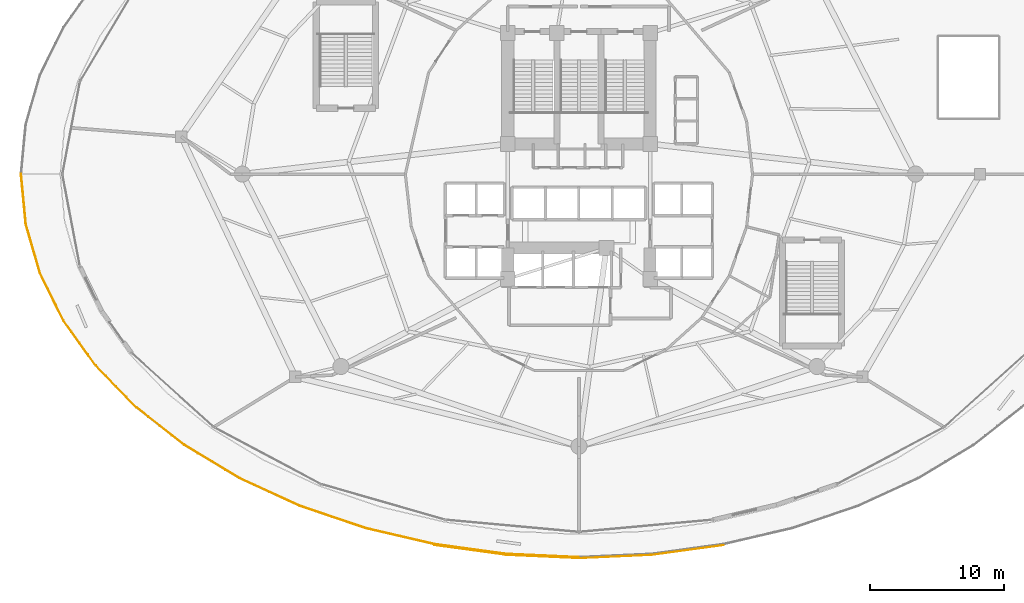
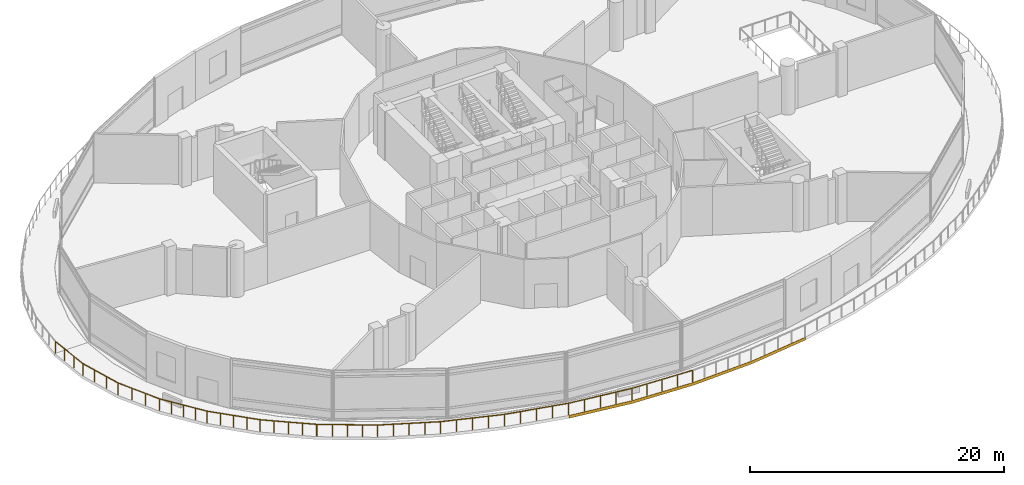
# One storey, part 31 of 37: 2 railings, 1 covering.
"""IFC4 building model written with IfcOpenShell, lengths in metres."""

from ifc_helpers import new_model, si_unit, direction, frame, origin, place, context, subcontext, project, spatial, polyline, outline, extrude, material, layer, layer_set, type_object, element, save


model = new_model("IFC4")

# Units and contexts
model_context = context("Model", 3, precision=1e-05, world=origin(), true_north=direction((0.0, 1.0)))
body_context = subcontext(model_context, "Body", "Model", "MODEL_VIEW")
ifc_project = project(units=[si_unit("LENGTHUNIT", "METRE"), si_unit("AREAUNIT", "SQUARE_METRE"), si_unit("VOLUMEUNIT", "CUBIC_METRE"), si_unit("PLANEANGLEUNIT", "RADIAN"), si_unit("MASSUNIT", "GRAM", prefix="KILO")], contexts=[model_context])

# Site, building, storey
site_placement = place(None, origin())
site = spatial("IfcSite", under=ifc_project, at=site_placement, CompositionType="ELEMENT")
building_placement = place(site_placement, origin())
building = spatial("IfcBuilding", under=site, at=building_placement, Name="Nuhasar Tower", CompositionType="ELEMENT")
storey_placement = place(building_placement, frame((0.0, 0.0, 6.0)))
storey = spatial("IfcBuildingStorey", under=building, at=storey_placement, Name="L01", CompositionType="ELEMENT", Elevation=6.0)

# Covering
ifc_material_1 = material(Name="Aluminium 6063-T6", Category="aluminium")
ifc_layer = layer(ifc_material_1, 0.014892578125)
ifc_layer_set = layer_set([ifc_layer], Name="Aluminium 6063-T6")
covering_type = type_object("IfcCoveringType", Name="COV-CLD-BRZ15", PredefinedType="CLADDING", material=ifc_layer_set)
covering_placement = place(storey_placement, frame((0.0, 0.0, -0.280029296875)))
element("IfcCovering", 1, at=covering_placement, inside=storey, type_object=covering_type, Name="L01 Bustan Terrace Bronze Fascia Cladding South", PredefinedType="CLADDING", context=body_context, shape_type="SweptSolid", body=[
    extrude(outline(polyline([(28.23291015625, -0.824951171875), (33.570068359375, -1.554931640625), (39.0, -1.800048828125), (44.429931640625, -1.554931640625), (49.76708984375, -0.824951171875), (49.762939453125, -0.81103515625), (44.427978515625, -1.5400390625), (39.0, -1.784912109375), (33.572021484375, -1.5400390625), (28.237060546875, -0.81103515625), (28.23291015625, -0.824951171875)])), origin(), (0.0, 0.0, 1.0), 0.280029296875),
])

# Railings
ifc_material_2 = material(Name="Steel S355", Category="steel")
railing_type = type_object("IfcRailingType", Name="RLG-TERR-1150", PredefinedType="BALUSTRADE", material=ifc_material_2)
railing_1_placement = place(storey_placement, frame((-2.52001953125, 26.800048828125, 0.0)))
element("IfcRailing", 2, at=railing_1_placement, inside=storey, type_object=railing_type, Name="L01 Bustan Terrace Perimeter Balustrade 05", PredefinedType="BALUSTRADE", context=body_context, shape_type="SweptSolid", body=[
    extrude(outline(polyline([(0.024169921875, 0.0), (0.01708984375, 0.01708984375), (0.0, 0.024169921875), (-0.01708984375, 0.01708984375), (-0.024169921875, 0.0), (-0.01708984375, -0.01708984375), (0.0, -0.024169921875), (0.01708984375, -0.01708984375), (0.024169921875, 0.0)])), frame((0.0, 0.0, 1.1259765625), z_axis=(0.094913829866, -0.995485492059, 0.0), x_axis=(0.995485492059, 0.094913829866, 0.0)), (0.0, 0.0, 1.0), 3.739990234375),
    extrude(outline(polyline([(0.024169921875, 0.0), (0.01708984375, 0.01708984375), (0.0, 0.024169921875), (-0.01708984375, 0.01708984375), (-0.024169921875, 0.0), (-0.01708984375, -0.01708984375), (0.0, -0.024169921875), (0.01708984375, -0.01708984375), (0.024169921875, 0.0)])), frame((0.35498046875, -3.72314453125, 1.1259765625), z_axis=(0.278274374936, -0.960501625326, 0.0), x_axis=(0.960501625326, 0.278274374936, 0.0)), (0.0, 0.0, 1.0), 3.809326171875),
    extrude(outline(polyline([(0.024169921875, 0.0), (0.01708984375, 0.01708984375), (0.0, 0.024169921875), (-0.01708984375, 0.01708984375), (-0.024169921875, 0.0), (-0.01708984375, -0.01708984375), (0.0, -0.024169921875), (0.01708984375, -0.01708984375), (0.024169921875, 0.0)])), frame((1.4150390625, -7.382080078125, 1.1259765625), z_axis=(0.443168958326, -0.896438104041, 0.0), x_axis=(0.896438104041, 0.443168958326, 0.0)), (0.0, 0.0, 1.0), 3.93994140625),
    extrude(outline(polyline([(0.024169921875, 0.0), (0.01708984375, 0.01708984375), (0.0, 0.024169921875), (-0.01708984375, 0.01708984375), (-0.024169921875, 0.0), (-0.01708984375, -0.01708984375), (0.0, -0.024169921875), (0.01708984375, -0.01708984375), (0.024169921875, 0.0)])), frame((3.1611328125, -10.9140625, 1.1259765625), z_axis=(0.583148612261, -0.812365494108, 0.0), x_axis=(0.812365494108, 0.583148612261, 0.0)), (0.0, 0.0, 1.0), 4.11865234375),
    extrude(outline(polyline([(0.024169921875, 0.0), (0.01708984375, 0.01708984375), (0.0, 0.024169921875), (-0.01708984375, 0.01708984375), (-0.024169921875, 0.0), (-0.01708984375, -0.01708984375), (0.0, -0.024169921875), (0.01708984375, -0.01708984375), (0.024169921875, 0.0)])), frame((5.56298828125, -14.260009765625, 1.1259765625), z_axis=(0.697221787031, -0.716855480337, 0.0), x_axis=(0.716855480337, 0.697221787031, 0.0)), (0.0, 0.0, 1.0), 4.327392578125),
    extrude(outline(polyline([(0.024169921875, 0.0), (0.01708984375, 0.01708984375), (0.0, 0.024169921875), (-0.01708984375, 0.01708984375), (-0.024169921875, 0.0), (-0.01708984375, -0.01708984375), (0.0, -0.024169921875), (0.01708984375, -0.01708984375), (0.024169921875, 0.0)])), frame((8.580078125, -17.362060546875, 1.1259765625), z_axis=(0.787318727444, -0.616546203797, 0.0), x_axis=(0.616546203797, 0.787318727444, 0.0)), (0.0, 0.0, 1.0), 4.509033203125),
    extrude(outline(polyline([(0.02099609375, 0.0), (0.014892578125, 0.014892578125), (0.0, 0.02099609375), (-0.014892578125, 0.014892578125), (-0.02099609375, 0.0), (-0.014892578125, -0.014892578125), (0.0, -0.02099609375), (0.014892578125, -0.014892578125), (0.02099609375, 0.0)])), origin(), (0.0, 0.0, 1.0), 1.101806640625),
    extrude(outline(polyline([(0.02099609375, 0.0), (0.014892578125, 0.014892578125), (0.0, 0.02099609375), (-0.014892578125, 0.014892578125), (-0.02099609375, 0.0), (-0.014892578125, -0.014892578125), (0.0, -0.02099609375), (0.014892578125, -0.014892578125), (0.02099609375, 0.0)])), frame((0.118408203125, -1.240966796875, 0.0)), (0.0, 0.0, 1.0), 1.101806640625),
    extrude(outline(polyline([(0.02099609375, 0.0), (0.014892578125, 0.014892578125), (0.0, 0.02099609375), (-0.014892578125, 0.014892578125), (-0.02099609375, 0.0), (-0.014892578125, -0.014892578125), (0.0, -0.02099609375), (0.014892578125, -0.014892578125), (0.02099609375, 0.0)])), frame((0.236572265625, -2.482177734375, 0.0)), (0.0, 0.0, 1.0), 1.101806640625),
    extrude(outline(polyline([(0.02099609375, 0.0), (0.014892578125, 0.014892578125), (0.0, 0.02099609375), (-0.014892578125, 0.014892578125), (-0.02099609375, 0.0), (-0.014892578125, -0.014892578125), (0.0, -0.02099609375), (0.014892578125, -0.014892578125), (0.02099609375, 0.0)])), frame((0.35498046875, -3.72314453125, 0.0)), (0.0, 0.0, 1.0), 1.101806640625),
    extrude(outline(polyline([(0.02099609375, 0.0), (0.014892578125, 0.014892578125), (0.0, 0.02099609375), (-0.014892578125, 0.014892578125), (-0.02099609375, 0.0), (-0.014892578125, -0.014892578125), (0.0, -0.02099609375), (0.014892578125, -0.014892578125), (0.02099609375, 0.0)])), frame((0.708251953125, -4.94287109375, 0.0)), (0.0, 0.0, 1.0), 1.101806640625),
    extrude(outline(polyline([(0.02099609375, 0.0), (0.014892578125, 0.014892578125), (0.0, 0.02099609375), (-0.014892578125, 0.014892578125), (-0.02099609375, 0.0), (-0.014892578125, -0.014892578125), (0.0, -0.02099609375), (0.014892578125, -0.014892578125), (0.02099609375, 0.0)])), frame((1.061767578125, -6.162353515625, 0.0)), (0.0, 0.0, 1.0), 1.101806640625),
    extrude(outline(polyline([(0.02099609375, 0.0), (0.014892578125, 0.014892578125), (0.0, 0.02099609375), (-0.014892578125, 0.014892578125), (-0.02099609375, 0.0), (-0.014892578125, -0.014892578125), (0.0, -0.02099609375), (0.014892578125, -0.014892578125), (0.02099609375, 0.0)])), frame((1.4150390625, -7.382080078125, 0.0)), (0.0, 0.0, 1.0), 1.101806640625),
    extrude(outline(polyline([(0.02099609375, 0.0), (0.014892578125, 0.014892578125), (0.0, 0.02099609375), (-0.014892578125, 0.014892578125), (-0.02099609375, 0.0), (-0.014892578125, -0.014892578125), (0.0, -0.02099609375), (0.014892578125, -0.014892578125), (0.02099609375, 0.0)])), frame((1.9970703125, -8.559326171875, 0.0)), (0.0, 0.0, 1.0), 1.101806640625),
    extrude(outline(polyline([(0.02099609375, 0.0), (0.014892578125, 0.014892578125), (0.0, 0.02099609375), (-0.014892578125, 0.014892578125), (-0.02099609375, 0.0), (-0.014892578125, -0.014892578125), (0.0, -0.02099609375), (0.014892578125, -0.014892578125), (0.02099609375, 0.0)])), frame((2.5791015625, -9.73681640625, 0.0)), (0.0, 0.0, 1.0), 1.101806640625),
    extrude(outline(polyline([(0.02099609375, 0.0), (0.014892578125, 0.014892578125), (0.0, 0.02099609375), (-0.014892578125, 0.014892578125), (-0.02099609375, 0.0), (-0.014892578125, -0.014892578125), (0.0, -0.02099609375), (0.014892578125, -0.014892578125), (0.02099609375, 0.0)])), frame((3.1611328125, -10.9140625, 0.0)), (0.0, 0.0, 1.0), 1.101806640625),
    extrude(outline(polyline([(0.02099609375, 0.0), (0.014892578125, 0.014892578125), (0.0, 0.02099609375), (-0.014892578125, 0.014892578125), (-0.02099609375, 0.0), (-0.014892578125, -0.014892578125), (0.0, -0.02099609375), (0.014892578125, -0.014892578125), (0.02099609375, 0.0)])), frame((3.76171875, -11.75048828125, 0.0)), (0.0, 0.0, 1.0), 1.101806640625),
    extrude(outline(polyline([(0.02099609375, 0.0), (0.014892578125, 0.014892578125), (0.0, 0.02099609375), (-0.014892578125, 0.014892578125), (-0.02099609375, 0.0), (-0.014892578125, -0.014892578125), (0.0, -0.02099609375), (0.014892578125, -0.014892578125), (0.02099609375, 0.0)])), frame((4.362060546875, -12.5869140625, 0.0)), (0.0, 0.0, 1.0), 1.101806640625),
    extrude(outline(polyline([(0.02099609375, 0.0), (0.014892578125, 0.014892578125), (0.0, 0.02099609375), (-0.014892578125, 0.014892578125), (-0.02099609375, 0.0), (-0.014892578125, -0.014892578125), (0.0, -0.02099609375), (0.014892578125, -0.014892578125), (0.02099609375, 0.0)])), frame((4.96240234375, -13.423583984375, 0.0)), (0.0, 0.0, 1.0), 1.101806640625),
    extrude(outline(polyline([(0.02099609375, 0.0), (0.014892578125, 0.014892578125), (0.0, 0.02099609375), (-0.014892578125, 0.014892578125), (-0.02099609375, 0.0), (-0.014892578125, -0.014892578125), (0.0, -0.02099609375), (0.014892578125, -0.014892578125), (0.02099609375, 0.0)])), frame((5.56298828125, -14.260009765625, 0.0)), (0.0, 0.0, 1.0), 1.101806640625),
    extrude(outline(polyline([(0.02099609375, 0.0), (0.014892578125, 0.014892578125), (0.0, 0.02099609375), (-0.014892578125, 0.014892578125), (-0.02099609375, 0.0), (-0.014892578125, -0.014892578125), (0.0, -0.02099609375), (0.014892578125, -0.014892578125), (0.02099609375, 0.0)])), frame((6.3173828125, -15.03564453125, 0.0)), (0.0, 0.0, 1.0), 1.101806640625),
    extrude(outline(polyline([(0.02099609375, 0.0), (0.014892578125, 0.014892578125), (0.0, 0.02099609375), (-0.014892578125, 0.014892578125), (-0.02099609375, 0.0), (-0.014892578125, -0.014892578125), (0.0, -0.02099609375), (0.014892578125, -0.014892578125), (0.02099609375, 0.0)])), frame((7.071533203125, -15.81103515625, 0.0)), (0.0, 0.0, 1.0), 1.101806640625),
    extrude(outline(polyline([(0.02099609375, 0.0), (0.014892578125, 0.014892578125), (0.0, 0.02099609375), (-0.014892578125, 0.014892578125), (-0.02099609375, 0.0), (-0.014892578125, -0.014892578125), (0.0, -0.02099609375), (0.014892578125, -0.014892578125), (0.02099609375, 0.0)])), frame((7.82568359375, -16.58642578125, 0.0)), (0.0, 0.0, 1.0), 1.101806640625),
    extrude(outline(polyline([(0.02099609375, 0.0), (0.014892578125, 0.014892578125), (0.0, 0.02099609375), (-0.014892578125, 0.014892578125), (-0.02099609375, 0.0), (-0.014892578125, -0.014892578125), (0.0, -0.02099609375), (0.014892578125, -0.014892578125), (0.02099609375, 0.0)])), frame((8.580078125, -17.362060546875, 0.0)), (0.0, 0.0, 1.0), 1.101806640625),
    extrude(outline(polyline([(0.02099609375, 0.0), (0.014892578125, 0.014892578125), (0.0, 0.02099609375), (-0.014892578125, 0.014892578125), (-0.02099609375, 0.0), (-0.014892578125, -0.014892578125), (0.0, -0.02099609375), (0.014892578125, -0.014892578125), (0.02099609375, 0.0)])), frame((9.467529296875, -18.05712890625, 0.0)), (0.0, 0.0, 1.0), 1.101806640625),
    extrude(outline(polyline([(0.02099609375, 0.0), (0.014892578125, 0.014892578125), (0.0, 0.02099609375), (-0.014892578125, 0.014892578125), (-0.02099609375, 0.0), (-0.014892578125, -0.014892578125), (0.0, -0.02099609375), (0.014892578125, -0.014892578125), (0.02099609375, 0.0)])), frame((10.35498046875, -18.751953125, 0.0)), (0.0, 0.0, 1.0), 1.101806640625),
    extrude(outline(polyline([(0.02099609375, 0.0), (0.014892578125, 0.014892578125), (0.0, 0.02099609375), (-0.014892578125, 0.014892578125), (-0.02099609375, 0.0), (-0.014892578125, -0.014892578125), (0.0, -0.02099609375), (0.014892578125, -0.014892578125), (0.02099609375, 0.0)])), frame((11.24267578125, -19.447021484375, 0.0)), (0.0, 0.0, 1.0), 1.101806640625),
    extrude(outline(polyline([(0.02099609375, 0.0), (0.014892578125, 0.014892578125), (0.0, 0.02099609375), (-0.014892578125, 0.014892578125), (-0.02099609375, 0.0), (-0.014892578125, -0.014892578125), (0.0, -0.02099609375), (0.014892578125, -0.014892578125), (0.02099609375, 0.0)])), frame((12.130126953125, -20.14208984375, 0.0)), (0.0, 0.0, 1.0), 1.101806640625),
])
railing_2_placement = place(storey_placement, frame((9.64111328125, 6.633056640625, 0.0)))
element("IfcRailing", 3, at=railing_2_placement, inside=storey, type_object=railing_type, Name="L01 Bustan Terrace Perimeter Balustrade 06", PredefinedType="BALUSTRADE", context=body_context, shape_type="SweptSolid", body=[
    extrude(outline(polyline([(0.024169921875, 0.0), (0.01708984375, 0.01708984375), (0.0, 0.024169921875), (-0.01708984375, 0.01708984375), (-0.024169921875, 0.0), (-0.01708984375, -0.01708984375), (0.0, -0.024169921875), (0.01708984375, -0.01708984375), (0.024169921875, 0.0)])), frame((0.0, 0.0, 1.1259765625), z_axis=(0.856642068446, -0.515911200274, 0.0), x_axis=(0.515911200274, 0.856642068446, 0.0)), (0.0, 0.0, 1.0), 4.766357421875),
    extrude(outline(polyline([(0.024169921875, 0.0), (0.01708984375, 0.01708984375), (0.0, 0.024169921875), (-0.01708984375, 0.01708984375), (-0.024169921875, 0.0), (-0.01708984375, -0.01708984375), (0.0, -0.024169921875), (0.01708984375, -0.01708984375), (0.024169921875, 0.0)])), frame((4.0830078125, -2.458984375, 1.1259765625), z_axis=(0.908818857155, -0.417190945348, 0.0), x_axis=(0.417190945348, 0.908818857155, 0.0)), (0.0, 0.0, 1.0), 4.968994140625),
    extrude(outline(polyline([(0.024169921875, 0.0), (0.01708984375, 0.01708984375), (0.0, 0.024169921875), (-0.01708984375, 0.01708984375), (-0.024169921875, 0.0), (-0.01708984375, -0.01708984375), (0.0, -0.024169921875), (0.01708984375, -0.01708984375), (0.024169921875, 0.0)])), frame((8.598876953125, -4.531982421875, 1.1259765625), z_axis=(0.94712922006, -0.320852365597, 0.0), x_axis=(0.320852365597, 0.94712922006, 0.0)), (0.0, 0.0, 1.0), 5.14306640625),
    extrude(outline(polyline([(0.024169921875, 0.0), (0.01708984375, 0.01708984375), (0.0, 0.024169921875), (-0.01708984375, 0.01708984375), (-0.024169921875, 0.0), (-0.01708984375, -0.01708984375), (0.0, -0.024169921875), (0.01708984375, -0.01708984375), (0.024169921875, 0.0)])), frame((13.469970703125, -6.18212890625, 1.1259765625), z_axis=(0.973883819877, -0.227046923305, 0.0), x_axis=(0.227046923305, 0.973883819877, 0.0)), (0.0, 0.0, 1.0), 5.28076171875),
    extrude(outline(polyline([(0.024169921875, 0.0), (0.01708984375, 0.01708984375), (0.0, 0.024169921875), (-0.01708984375, 0.01708984375), (-0.024169921875, 0.0), (-0.01708984375, -0.01708984375), (0.0, -0.024169921875), (0.01708984375, -0.01708984375), (0.024169921875, 0.0)])), frame((18.61279296875, -7.381103515625, 1.1259765625), z_axis=(0.990790336006, -0.135404985425, 0.0), x_axis=(0.135404985425, 0.990790336006, 0.0)), (0.0, 0.0, 1.0), 5.376708984375),
    extrude(outline(polyline([(0.024169921875, 0.0), (0.01708984375, 0.01708984375), (0.0, 0.024169921875), (-0.01708984375, 0.01708984375), (-0.024169921875, 0.0), (-0.01708984375, -0.01708984375), (0.0, -0.024169921875), (0.01708984375, -0.01708984375), (0.024169921875, 0.0)])), frame((23.93994140625, -8.109130859375, 1.1259765625), z_axis=(0.998989930916, -0.044934596112, 0.0), x_axis=(0.044934596112, 0.998989930916, 0.0)), (0.0, 0.0, 1.0), 5.38427734375),
    extrude(outline(polyline([(0.02099609375, 0.0), (0.014892578125, 0.014892578125), (0.0, 0.02099609375), (-0.014892578125, 0.014892578125), (-0.02099609375, 0.0), (-0.014892578125, -0.014892578125), (0.0, -0.02099609375), (0.014892578125, -0.014892578125), (0.02099609375, 0.0)])), origin(), (0.0, 0.0, 1.0), 1.101806640625),
    extrude(outline(polyline([(0.02099609375, 0.0), (0.014892578125, 0.014892578125), (0.0, 0.02099609375), (-0.014892578125, 0.014892578125), (-0.02099609375, 0.0), (-0.014892578125, -0.014892578125), (0.0, -0.02099609375), (0.014892578125, -0.014892578125), (0.02099609375, 0.0)])), frame((1.020751953125, -0.61474609375, 0.0)), (0.0, 0.0, 1.0), 1.101806640625),
    extrude(outline(polyline([(0.02099609375, 0.0), (0.014892578125, 0.014892578125), (0.0, 0.02099609375), (-0.014892578125, 0.014892578125), (-0.02099609375, 0.0), (-0.014892578125, -0.014892578125), (0.0, -0.02099609375), (0.014892578125, -0.014892578125), (0.02099609375, 0.0)])), frame((2.04150390625, -1.2294921875, 0.0)), (0.0, 0.0, 1.0), 1.101806640625),
    extrude(outline(polyline([(0.02099609375, 0.0), (0.014892578125, 0.014892578125), (0.0, 0.02099609375), (-0.014892578125, 0.014892578125), (-0.02099609375, 0.0), (-0.014892578125, -0.014892578125), (0.0, -0.02099609375), (0.014892578125, -0.014892578125), (0.02099609375, 0.0)])), frame((3.062255859375, -1.84423828125, 0.0)), (0.0, 0.0, 1.0), 1.101806640625),
    extrude(outline(polyline([(0.02099609375, 0.0), (0.014892578125, 0.014892578125), (0.0, 0.02099609375), (-0.014892578125, 0.014892578125), (-0.02099609375, 0.0), (-0.014892578125, -0.014892578125), (0.0, -0.02099609375), (0.014892578125, -0.014892578125), (0.02099609375, 0.0)])), frame((4.0830078125, -2.458984375, 0.0)), (0.0, 0.0, 1.0), 1.101806640625),
    extrude(outline(polyline([(0.02099609375, 0.0), (0.014892578125, 0.014892578125), (0.0, 0.02099609375), (-0.014892578125, 0.014892578125), (-0.02099609375, 0.0), (-0.014892578125, -0.014892578125), (0.0, -0.02099609375), (0.014892578125, -0.014892578125), (0.02099609375, 0.0)])), frame((5.2119140625, -2.977294921875, 0.0)), (0.0, 0.0, 1.0), 1.101806640625),
    extrude(outline(polyline([(0.02099609375, 0.0), (0.014892578125, 0.014892578125), (0.0, 0.02099609375), (-0.014892578125, 0.014892578125), (-0.02099609375, 0.0), (-0.014892578125, -0.014892578125), (0.0, -0.02099609375), (0.014892578125, -0.014892578125), (0.02099609375, 0.0)])), frame((6.3408203125, -3.49560546875, 0.0)), (0.0, 0.0, 1.0), 1.101806640625),
    extrude(outline(polyline([(0.02099609375, 0.0), (0.014892578125, 0.014892578125), (0.0, 0.02099609375), (-0.014892578125, 0.014892578125), (-0.02099609375, 0.0), (-0.014892578125, -0.014892578125), (0.0, -0.02099609375), (0.014892578125, -0.014892578125), (0.02099609375, 0.0)])), frame((7.469970703125, -4.013671875, 0.0)), (0.0, 0.0, 1.0), 1.101806640625),
    extrude(outline(polyline([(0.02099609375, 0.0), (0.014892578125, 0.014892578125), (0.0, 0.02099609375), (-0.014892578125, 0.014892578125), (-0.02099609375, 0.0), (-0.014892578125, -0.014892578125), (0.0, -0.02099609375), (0.014892578125, -0.014892578125), (0.02099609375, 0.0)])), frame((8.598876953125, -4.531982421875, 0.0)), (0.0, 0.0, 1.0), 1.101806640625),
    extrude(outline(polyline([(0.02099609375, 0.0), (0.014892578125, 0.014892578125), (0.0, 0.02099609375), (-0.014892578125, 0.014892578125), (-0.02099609375, 0.0), (-0.014892578125, -0.014892578125), (0.0, -0.02099609375), (0.014892578125, -0.014892578125), (0.02099609375, 0.0)])), frame((9.816650390625, -4.944580078125, 0.0)), (0.0, 0.0, 1.0), 1.101806640625),
    extrude(outline(polyline([(0.02099609375, 0.0), (0.014892578125, 0.014892578125), (0.0, 0.02099609375), (-0.014892578125, 0.014892578125), (-0.02099609375, 0.0), (-0.014892578125, -0.014892578125), (0.0, -0.02099609375), (0.014892578125, -0.014892578125), (0.02099609375, 0.0)])), frame((11.034423828125, -5.35693359375, 0.0)), (0.0, 0.0, 1.0), 1.101806640625),
    extrude(outline(polyline([(0.02099609375, 0.0), (0.014892578125, 0.014892578125), (0.0, 0.02099609375), (-0.014892578125, 0.014892578125), (-0.02099609375, 0.0), (-0.014892578125, -0.014892578125), (0.0, -0.02099609375), (0.014892578125, -0.014892578125), (0.02099609375, 0.0)])), frame((12.252197265625, -5.76953125, 0.0)), (0.0, 0.0, 1.0), 1.101806640625),
    extrude(outline(polyline([(0.02099609375, 0.0), (0.014892578125, 0.014892578125), (0.0, 0.02099609375), (-0.014892578125, 0.014892578125), (-0.02099609375, 0.0), (-0.014892578125, -0.014892578125), (0.0, -0.02099609375), (0.014892578125, -0.014892578125), (0.02099609375, 0.0)])), frame((13.469970703125, -6.18212890625, 0.0)), (0.0, 0.0, 1.0), 1.101806640625),
    extrude(outline(polyline([(0.02099609375, 0.0), (0.014892578125, 0.014892578125), (0.0, 0.02099609375), (-0.014892578125, 0.014892578125), (-0.02099609375, 0.0), (-0.014892578125, -0.014892578125), (0.0, -0.02099609375), (0.014892578125, -0.014892578125), (0.02099609375, 0.0)])), frame((14.755615234375, -6.48193359375, 0.0)), (0.0, 0.0, 1.0), 1.101806640625),
    extrude(outline(polyline([(0.02099609375, 0.0), (0.014892578125, 0.014892578125), (0.0, 0.02099609375), (-0.014892578125, 0.014892578125), (-0.02099609375, 0.0), (-0.014892578125, -0.014892578125), (0.0, -0.02099609375), (0.014892578125, -0.014892578125), (0.02099609375, 0.0)])), frame((16.04150390625, -6.78173828125, 0.0)), (0.0, 0.0, 1.0), 1.101806640625),
    extrude(outline(polyline([(0.02099609375, 0.0), (0.014892578125, 0.014892578125), (0.0, 0.02099609375), (-0.014892578125, 0.014892578125), (-0.02099609375, 0.0), (-0.014892578125, -0.014892578125), (0.0, -0.02099609375), (0.014892578125, -0.014892578125), (0.02099609375, 0.0)])), frame((17.3271484375, -7.081298828125, 0.0)), (0.0, 0.0, 1.0), 1.101806640625),
    extrude(outline(polyline([(0.02099609375, 0.0), (0.014892578125, 0.014892578125), (0.0, 0.02099609375), (-0.014892578125, 0.014892578125), (-0.02099609375, 0.0), (-0.014892578125, -0.014892578125), (0.0, -0.02099609375), (0.014892578125, -0.014892578125), (0.02099609375, 0.0)])), frame((18.61279296875, -7.381103515625, 0.0)), (0.0, 0.0, 1.0), 1.101806640625),
    extrude(outline(polyline([(0.02099609375, 0.0), (0.014892578125, 0.014892578125), (0.0, 0.02099609375), (-0.014892578125, 0.014892578125), (-0.02099609375, 0.0), (-0.014892578125, -0.014892578125), (0.0, -0.02099609375), (0.014892578125, -0.014892578125), (0.02099609375, 0.0)])), frame((19.944580078125, -7.56298828125, 0.0)), (0.0, 0.0, 1.0), 1.101806640625),
    extrude(outline(polyline([(0.02099609375, 0.0), (0.014892578125, 0.014892578125), (0.0, 0.02099609375), (-0.014892578125, 0.014892578125), (-0.02099609375, 0.0), (-0.014892578125, -0.014892578125), (0.0, -0.02099609375), (0.014892578125, -0.014892578125), (0.02099609375, 0.0)])), frame((21.2763671875, -7.7451171875, 0.0)), (0.0, 0.0, 1.0), 1.101806640625),
    extrude(outline(polyline([(0.02099609375, 0.0), (0.014892578125, 0.014892578125), (0.0, 0.02099609375), (-0.014892578125, 0.014892578125), (-0.02099609375, 0.0), (-0.014892578125, -0.014892578125), (0.0, -0.02099609375), (0.014892578125, -0.014892578125), (0.02099609375, 0.0)])), frame((22.608154296875, -7.92724609375, 0.0)), (0.0, 0.0, 1.0), 1.101806640625),
    extrude(outline(polyline([(0.02099609375, 0.0), (0.014892578125, 0.014892578125), (0.0, 0.02099609375), (-0.014892578125, 0.014892578125), (-0.02099609375, 0.0), (-0.014892578125, -0.014892578125), (0.0, -0.02099609375), (0.014892578125, -0.014892578125), (0.02099609375, 0.0)])), frame((23.93994140625, -8.109130859375, 0.0)), (0.0, 0.0, 1.0), 1.101806640625),
    extrude(outline(polyline([(0.02099609375, 0.0), (0.014892578125, 0.014892578125), (0.0, 0.02099609375), (-0.014892578125, 0.014892578125), (-0.02099609375, 0.0), (-0.014892578125, -0.014892578125), (0.0, -0.02099609375), (0.014892578125, -0.014892578125), (0.02099609375, 0.0)])), frame((25.28466796875, -8.169677734375, 0.0)), (0.0, 0.0, 1.0), 1.101806640625),
    extrude(outline(polyline([(0.02099609375, 0.0), (0.014892578125, 0.014892578125), (0.0, 0.02099609375), (-0.014892578125, 0.014892578125), (-0.02099609375, 0.0), (-0.014892578125, -0.014892578125), (0.0, -0.02099609375), (0.014892578125, -0.014892578125), (0.02099609375, 0.0)])), frame((26.62939453125, -8.22998046875, 0.0)), (0.0, 0.0, 1.0), 1.101806640625),
    extrude(outline(polyline([(0.02099609375, 0.0), (0.014892578125, 0.014892578125), (0.0, 0.02099609375), (-0.014892578125, 0.014892578125), (-0.02099609375, 0.0), (-0.014892578125, -0.014892578125), (0.0, -0.02099609375), (0.014892578125, -0.014892578125), (0.02099609375, 0.0)])), frame((27.97412109375, -8.29052734375, 0.0)), (0.0, 0.0, 1.0), 1.101806640625),
    extrude(outline(polyline([(0.02099609375, 0.0), (0.014892578125, 0.014892578125), (0.0, 0.02099609375), (-0.014892578125, 0.014892578125), (-0.02099609375, 0.0), (-0.014892578125, -0.014892578125), (0.0, -0.02099609375), (0.014892578125, -0.014892578125), (0.02099609375, 0.0)])), frame((29.31884765625, -8.35107421875, 0.0)), (0.0, 0.0, 1.0), 1.101806640625),
])

save(model, "model.ifc")
